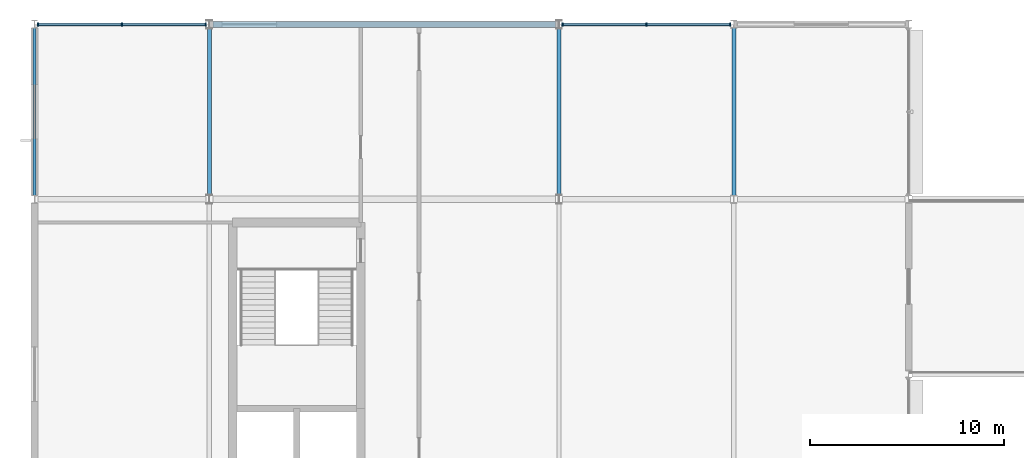
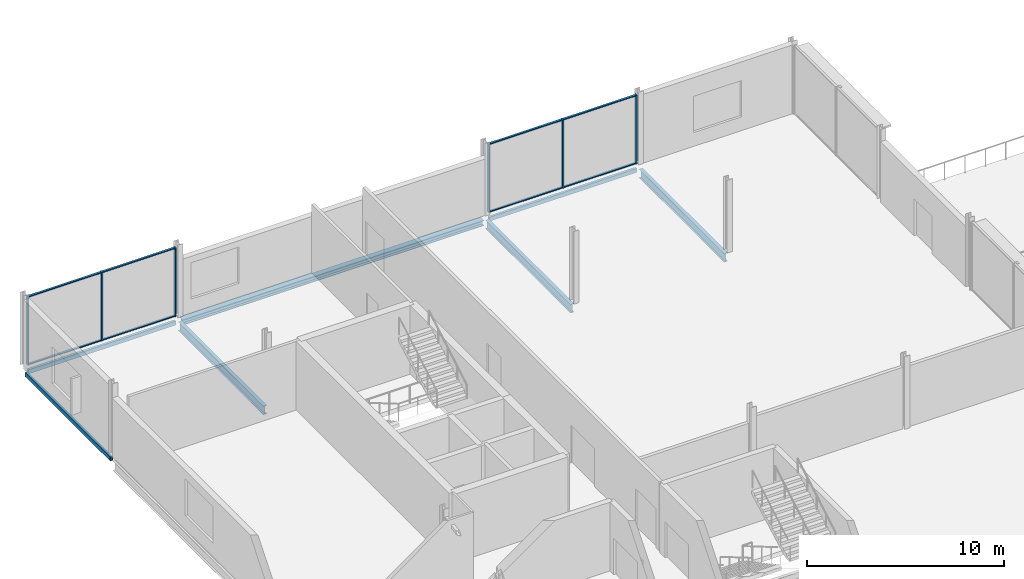
# One storey, part 22 of 73: 14 members, 7 beams, 2 elements without a shape of their own.
"""IFC4 building model written with IfcOpenShell, lengths in metres."""

from ifc_helpers import new_model, si_unit, direction, frame, origin, origin_2d, place, context, subcontext, project, spatial, rectangle, hollow_rectangle, i_section, extrude, material, layer, layer_set, material_profile, profile_set, type_object, element, aggregate, save


model = new_model("IFC4")

# Units and contexts
model_context = context("Model", 3, precision=1e-05, world=origin(), true_north=direction((0.0, 1.0)))
body_context = subcontext(model_context, "Body", "Model", "MODEL_VIEW")
ifc_project = project(units=[si_unit("LENGTHUNIT", "METRE"), si_unit("AREAUNIT", "SQUARE_METRE"), si_unit("VOLUMEUNIT", "CUBIC_METRE"), si_unit("PLANEANGLEUNIT", "RADIAN"), si_unit("MASSUNIT", "GRAM", prefix="KILO")], contexts=[model_context])

# Site, building, storey
site_placement = place(None, origin())
site = spatial("IfcSite", under=ifc_project, at=site_placement, CompositionType="ELEMENT")
building_placement = place(site_placement, origin())
building = spatial("IfcBuilding", under=site, at=building_placement, Name="Kisiwana Market Hall", CompositionType="ELEMENT")
storey_placement = place(building_placement, frame((0.0, 0.0, 33.300048828125)))
storey = spatial("IfcBuildingStorey", under=building, at=storey_placement, Name="L07", CompositionType="ELEMENT", Elevation=33.300048828125)

# Beams
ifc_material_1 = material(Name="Steel S355", Category="steel")
ifc_material_profile_1 = material_profile(ifc_material_1, i_section(OverallWidth=0.209228515625, OverallDepth=0.533203125, WebThickness=0.010009765625, FlangeThickness=0.015625, at=origin_2d()), Name="UB 533x210x92")
ifc_profile_set_1 = profile_set([ifc_material_profile_1], Name="Steel S355")
beam_type_1 = type_object("IfcBeamType", Name="BM-GIRD-UB533", PredefinedType="BEAM", material=ifc_profile_set_1)
for number, where, z_axis, x_axis, name in (
    (1, (9.0, 102.183349609375, -0.546630859375), (0.0, 1.0, 0.0), (-1.0, 0.0, 0.0), "Primary girder B-1886"),
    (2, (27.0, 102.183349609375, -0.546630859375), (0.0, 1.0, 0.0), (-1.0, 0.0, 0.0), "Primary girder B-1890"),
):
    element("IfcBeam", number, at=place(storey_placement, frame(where, z_axis=z_axis, x_axis=x_axis)), inside=storey, type_object=beam_type_1, Name=name, PredefinedType="BEAM", context=body_context, shape_type="SweptSolid", body=[
        extrude(i_section(OverallWidth=0.209228515625, OverallDepth=0.533203125, WebThickness=0.010009765625, FlangeThickness=0.015625, at=origin_2d()), origin(), (0.0, 0.0, 1.0), 8.63330078125),
    ])
beam_1_placement = place(storey_placement, frame((36.0, 102.177001953125, -0.546630859375), z_axis=(0.0, 1.0, 0.0), x_axis=(-1.0, 0.0, 0.0)))
element("IfcBeam", 3, at=beam_1_placement, inside=storey, type_object=beam_type_1, Name="Primary girder B-1896", PredefinedType="BEAM", context=body_context, shape_type="SweptSolid", body=[
    extrude(i_section(OverallWidth=0.209228515625, OverallDepth=0.533203125, WebThickness=0.010009765625, FlangeThickness=0.015625, at=origin_2d()), origin(), (0.0, 0.0, 1.0), 8.64599609375),
])
ifc_material_2 = material(Name="Steel S355", Category="steel")
ifc_material_profile_2 = material_profile(ifc_material_2, i_section(OverallWidth=0.314453125, OverallDepth=0.33984375, WebThickness=0.01904296875, FlangeThickness=0.031494140625, at=origin_2d()), Name="UC 305x305x198")
ifc_profile_set_2 = profile_set([ifc_material_profile_2], Name="Steel S355")
beam_type_2 = type_object("IfcBeamType", Name="BM-SKYBR-CHORD", PredefinedType="BEAM", material=ifc_profile_set_2)
beam_2_placement = place(storey_placement, frame((9.183349609375, 111.0, -0.449951171875), z_axis=(1.0, 0.0, 0.0), x_axis=(0.0, 1.0, 0.0)))
element("IfcBeam", 4, at=beam_2_placement, inside=storey, type_object=beam_type_2, Name="Floor beam B-2022", PredefinedType="BEAM", context=body_context, shape_type="SweptSolid", body=[
    extrude(i_section(OverallWidth=0.314453125, OverallDepth=0.33984375, WebThickness=0.01904296875, FlangeThickness=0.031494140625, at=origin_2d()), origin(), (0.0, 0.0, 1.0), 17.63330078125),
])
ifc_material_3 = material(Name="Steel S355", Category="steel")
ifc_material_profile_3 = material_profile(ifc_material_3, hollow_rectangle(XDim=0.14990234375, YDim=0.25, WallThickness=0.010009765625, at=origin_2d()), Name="RHS 250x150x10.0")
ifc_profile_set_3 = profile_set([ifc_material_profile_3], Name="Steel S355")
beam_type_3 = type_object("IfcBeamType", Name="BM-SPAN-RHS250", PredefinedType="SPANDREL", material=ifc_profile_set_3)
for number, where, z_axis, x_axis, name in (
    (5, (0.18115234375, 111.0, -0.405029296875), (1.0, 0.0, 0.0), (0.0, 1.0, 0.0), "Floor beam B-2021"),
    (6, (27.183349609375, 111.0, -0.405029296875), (1.0, 0.0, 0.0), (0.0, 1.0, 0.0), "Floor beam B-2023"),
):
    element("IfcBeam", number, at=place(storey_placement, frame(where, z_axis=z_axis, x_axis=x_axis)), inside=storey, type_object=beam_type_3, Name=name, PredefinedType="SPANDREL", context=body_context, shape_type="SweptSolid", body=[
        extrude(hollow_rectangle(XDim=0.14990234375, YDim=0.25, WallThickness=0.010009765625, at=origin_2d()), origin(), (0.0, 0.0, 1.0), 8.635498046875),
    ])
beam_3_placement = place(storey_placement, frame((0.0, 102.177001953125, -0.405029296875), z_axis=(0.0, 1.0, 0.0), x_axis=(-1.0, 0.0, 0.0)))
element("IfcBeam", 7, at=beam_3_placement, inside=storey, type_object=beam_type_3, Name="Floor beam B-2034", PredefinedType="SPANDREL", context=body_context, shape_type="SweptSolid", body=[
    extrude(hollow_rectangle(XDim=0.14990234375, YDim=0.25, WallThickness=0.010009765625, at=origin_2d()), origin(), (0.0, 0.0, 1.0), 8.64599609375),
])

# Curtain wall, members
ifc_material_4 = material(Name="Double-glazed solar-control low-E IGU", Category="glass")
ifc_layer = layer(ifc_material_4, 0.159912109375)
ifc_layer_set = layer_set([ifc_layer], Name="CW-BRG-L07-8200")
curtain_wall_type = type_object("IfcCurtainWallType", Name="CW-BRG-L07-8200", PredefinedType="USERDEFINED", material=ifc_layer_set)
curtain_wall_1_placement = place(storey_placement, origin())
curtain_wall_1 = element("IfcCurtainWall", 8, at=curtain_wall_1_placement, inside=storey, type_object=curtain_wall_type, Name="Unitised curtain wall CW-224 (L07)", ObjectType="UNITISED CURTAIN WALL", PredefinedType="USERDEFINED")
ifc_material_5 = material(Name="Aluminium alloy 6063-T6", Category="aluminium")
ifc_material_profile_4 = material_profile(ifc_material_5, rectangle(XDim=0.070068359375, YDim=0.179931640625, at=origin_2d()), Name="ALU MULLION 70x180")
ifc_profile_set_4 = profile_set([ifc_material_profile_4], Name="Aluminium alloy 6063-T6")
member_type_1 = type_object("IfcMemberType", Name="CW-MULL-70x180", PredefinedType="MULLION", material=ifc_profile_set_4)
member_1_placement = place(storey_placement, frame((0.18505859375, 111.0, 0.0), z_axis=(0.0, 0.0, 1.0), x_axis=(1.0, 0.0, 0.0)))
member_1 = element("IfcMember", 9, at=member_1_placement, type_object=member_type_1, Name="CW-224 mullion 1", PredefinedType="MULLION", context=body_context, shape_type="SweptSolid", body=[
    extrude(rectangle(XDim=0.070068359375, YDim=0.179931640625, at=origin_2d()), origin(), (0.0, 0.0, 1.0), 4.2548828125),
])
member_2_placement = place(storey_placement, frame((4.5, 111.0, 0.0), z_axis=(0.0, 0.0, 1.0), x_axis=(1.0, 0.0, 0.0)))
member_2 = element("IfcMember", 10, at=member_2_placement, type_object=member_type_1, Name="CW-224 mullion 2", PredefinedType="MULLION", context=body_context, shape_type="SweptSolid", body=[
    extrude(rectangle(XDim=0.070068359375, YDim=0.179931640625, at=origin_2d()), origin(), (0.0, 0.0, 1.0), 4.2548828125),
])
member_3_placement = place(storey_placement, frame((8.81494140625, 111.0, 0.0), z_axis=(0.0, 0.0, 1.0), x_axis=(1.0, 0.0, 0.0)))
member_3 = element("IfcMember", 11, at=member_3_placement, type_object=member_type_1, Name="CW-224 mullion 3", PredefinedType="MULLION", context=body_context, shape_type="SweptSolid", body=[
    extrude(rectangle(XDim=0.070068359375, YDim=0.179931640625, at=origin_2d()), origin(), (0.0, 0.0, 1.0), 4.2548828125),
])

curtain_wall_2_placement = place(storey_placement, origin())
curtain_wall_2 = element("IfcCurtainWall", 12, at=curtain_wall_2_placement, inside=storey, type_object=curtain_wall_type, Name="Unitised curtain wall CW-225 (L07)", ObjectType="UNITISED CURTAIN WALL", PredefinedType="USERDEFINED")
member_4_placement = place(storey_placement, frame((27.18505859375, 111.0, 0.0), z_axis=(0.0, 0.0, 1.0), x_axis=(1.0, 0.0, 0.0)))
member_4 = element("IfcMember", 13, at=member_4_placement, type_object=member_type_1, Name="CW-225 mullion 1", PredefinedType="MULLION", context=body_context, shape_type="SweptSolid", body=[
    extrude(rectangle(XDim=0.070068359375, YDim=0.179931640625, at=origin_2d()), origin(), (0.0, 0.0, 1.0), 4.2548828125),
])
member_5_placement = place(storey_placement, frame((31.5, 111.0, 0.0), z_axis=(0.0, 0.0, 1.0), x_axis=(1.0, 0.0, 0.0)))
member_5 = element("IfcMember", 14, at=member_5_placement, type_object=member_type_1, Name="CW-225 mullion 2", PredefinedType="MULLION", context=body_context, shape_type="SweptSolid", body=[
    extrude(rectangle(XDim=0.070068359375, YDim=0.179931640625, at=origin_2d()), origin(), (0.0, 0.0, 1.0), 4.2548828125),
])
member_6_placement = place(storey_placement, frame((35.81494140625, 111.0, 0.0), z_axis=(0.0, 0.0, 1.0), x_axis=(1.0, 0.0, 0.0)))
member_6 = element("IfcMember", 15, at=member_6_placement, type_object=member_type_1, Name="CW-225 mullion 3", PredefinedType="MULLION", context=body_context, shape_type="SweptSolid", body=[
    extrude(rectangle(XDim=0.070068359375, YDim=0.179931640625, at=origin_2d()), origin(), (0.0, 0.0, 1.0), 4.2548828125),
])

# Member
ifc_material_6 = material(Name="Aluminium alloy 6063-T6", Category="aluminium")
ifc_material_profile_5 = material_profile(ifc_material_6, rectangle(XDim=0.1201171875, YDim=0.06005859375, at=origin_2d()), Name="ALU TRANSOM 60x120")
ifc_profile_set_5 = profile_set([ifc_material_profile_5], Name="Aluminium alloy 6063-T6")
member_type_2 = type_object("IfcMemberType", Name="CW-TRAN-60x120", PredefinedType="USERDEFINED", material=ifc_profile_set_5)
member_7_placement = place(storey_placement, frame((0.219970703125, 111.0, 0.030029296875), z_axis=(1.0, 0.0, 0.0), x_axis=(0.0, 1.0, 0.0)))
member_7 = element("IfcMember", 16, at=member_7_placement, type_object=member_type_2, Name="CW-224 transom 1.1", ObjectType="TRANSOM", PredefinedType="USERDEFINED", context=body_context, shape_type="SweptSolid", body=[
    extrude(rectangle(XDim=0.1201171875, YDim=0.06005859375, at=origin_2d()), origin(), (0.0, 0.0, 1.0), 4.2451171875),
])

member_8_placement = place(storey_placement, frame((0.219970703125, 111.0, 4.224853515625), z_axis=(1.0, 0.0, 0.0), x_axis=(0.0, 1.0, 0.0)))
member_8 = element("IfcMember", 17, at=member_8_placement, type_object=member_type_2, Name="CW-224 transom 1.2", ObjectType="TRANSOM", PredefinedType="USERDEFINED", context=body_context, shape_type="SweptSolid", body=[
    extrude(rectangle(XDim=0.1201171875, YDim=0.06005859375, at=origin_2d()), origin(), (0.0, 0.0, 1.0), 4.2451171875),
])

member_9_placement = place(storey_placement, frame((4.534912109375, 111.0, 0.030029296875), z_axis=(1.0, 0.0, 0.0), x_axis=(0.0, 1.0, 0.0)))
member_9 = element("IfcMember", 18, at=member_9_placement, type_object=member_type_2, Name="CW-224 transom 2.1", ObjectType="TRANSOM", PredefinedType="USERDEFINED", context=body_context, shape_type="SweptSolid", body=[
    extrude(rectangle(XDim=0.1201171875, YDim=0.06005859375, at=origin_2d()), origin(), (0.0, 0.0, 1.0), 4.2451171875),
])

member_10_placement = place(storey_placement, frame((4.534912109375, 111.0, 4.224853515625), z_axis=(1.0, 0.0, 0.0), x_axis=(0.0, 1.0, 0.0)))
member_10 = element("IfcMember", 19, at=member_10_placement, type_object=member_type_2, Name="CW-224 transom 2.2", ObjectType="TRANSOM", PredefinedType="USERDEFINED", context=body_context, shape_type="SweptSolid", body=[
    extrude(rectangle(XDim=0.1201171875, YDim=0.06005859375, at=origin_2d()), origin(), (0.0, 0.0, 1.0), 4.2451171875),
])

aggregate(curtain_wall_1, [member_1, member_2, member_3, member_7, member_8, member_9, member_10])

member_11_placement = place(storey_placement, frame((27.219970703125, 111.0, 0.030029296875), z_axis=(1.0, 0.0, 0.0), x_axis=(0.0, 1.0, 0.0)))
member_11 = element("IfcMember", 20, at=member_11_placement, type_object=member_type_2, Name="CW-225 transom 1.1", ObjectType="TRANSOM", PredefinedType="USERDEFINED", context=body_context, shape_type="SweptSolid", body=[
    extrude(rectangle(XDim=0.1201171875, YDim=0.06005859375, at=origin_2d()), origin(), (0.0, 0.0, 1.0), 4.2451171875),
])

member_12_placement = place(storey_placement, frame((27.219970703125, 111.0, 4.224853515625), z_axis=(1.0, 0.0, 0.0), x_axis=(0.0, 1.0, 0.0)))
member_12 = element("IfcMember", 21, at=member_12_placement, type_object=member_type_2, Name="CW-225 transom 1.2", ObjectType="TRANSOM", PredefinedType="USERDEFINED", context=body_context, shape_type="SweptSolid", body=[
    extrude(rectangle(XDim=0.1201171875, YDim=0.06005859375, at=origin_2d()), origin(), (0.0, 0.0, 1.0), 4.2451171875),
])

member_13_placement = place(storey_placement, frame((31.534912109375, 111.0, 0.030029296875), z_axis=(1.0, 0.0, 0.0), x_axis=(0.0, 1.0, 0.0)))
member_13 = element("IfcMember", 22, at=member_13_placement, type_object=member_type_2, Name="CW-225 transom 2.1", ObjectType="TRANSOM", PredefinedType="USERDEFINED", context=body_context, shape_type="SweptSolid", body=[
    extrude(rectangle(XDim=0.1201171875, YDim=0.06005859375, at=origin_2d()), origin(), (0.0, 0.0, 1.0), 4.2451171875),
])

member_14_placement = place(storey_placement, frame((31.534912109375, 111.0, 4.224853515625), z_axis=(1.0, 0.0, 0.0), x_axis=(0.0, 1.0, 0.0)))
member_14 = element("IfcMember", 23, at=member_14_placement, type_object=member_type_2, Name="CW-225 transom 2.2", ObjectType="TRANSOM", PredefinedType="USERDEFINED", context=body_context, shape_type="SweptSolid", body=[
    extrude(rectangle(XDim=0.1201171875, YDim=0.06005859375, at=origin_2d()), origin(), (0.0, 0.0, 1.0), 4.2451171875),
])

aggregate(curtain_wall_2, [member_4, member_5, member_6, member_11, member_12, member_13, member_14])

save(model, "model.ifc")
